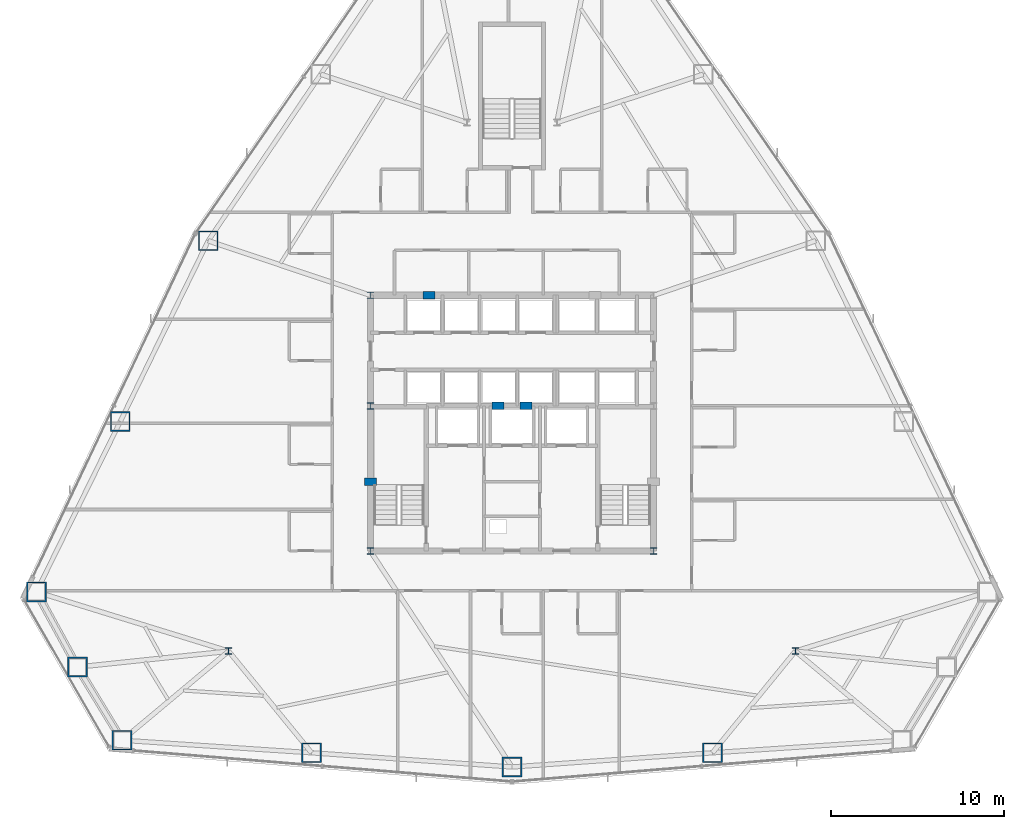
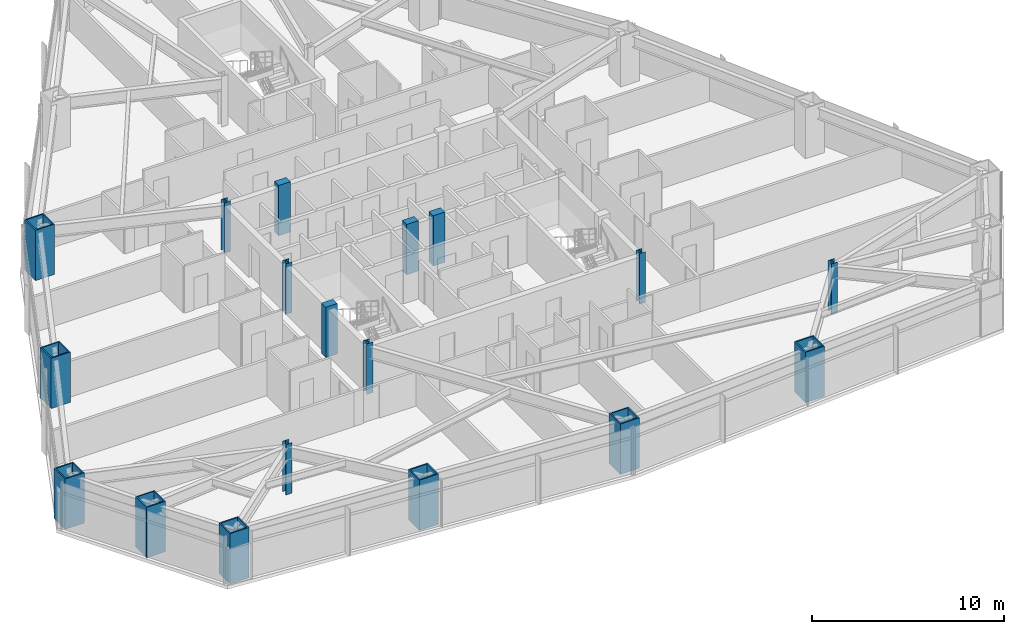
# One storey, part 1 of 13: 18 columns.
"""IFC4 building model written with IfcOpenShell, lengths in metres."""

from ifc_helpers import new_model, si_unit, direction, frame, origin, origin_2d, place, context, subcontext, project, spatial, rectangle, hollow_rectangle, i_section, extrude, material, material_profile, profile_set, type_object, element, save


model = new_model("IFC4")

# Units and contexts
model_context = context("Model", 3, precision=1e-05, world=origin(), true_north=direction((0.0, 1.0)))
body_context = subcontext(model_context, "Body", "Model", "MODEL_VIEW")
ifc_project = project(units=[si_unit("LENGTHUNIT", "METRE"), si_unit("AREAUNIT", "SQUARE_METRE"), si_unit("VOLUMEUNIT", "CUBIC_METRE"), si_unit("PLANEANGLEUNIT", "RADIAN"), si_unit("MASSUNIT", "GRAM", prefix="KILO")], contexts=[model_context])

# Site, building, storey
site_placement = place(None, origin())
site = spatial("IfcSite", under=ifc_project, at=site_placement, CompositionType="ELEMENT")
building_placement = place(site_placement, origin())
building = spatial("IfcBuilding", under=site, at=building_placement, Name="Varakhsha Concourse Tower", CompositionType="ELEMENT")
storey_placement = place(building_placement, frame((0.0, 0.0, 52.800048828125)))
storey = spatial("IfcBuildingStorey", under=building, at=storey_placement, Name="L14", CompositionType="ELEMENT", Elevation=52.800048828125)

# Columns
ifc_material_1 = material(Name="Structural Steel ASTM A992 Grade 50", Category="steel")
ifc_material_profile_1 = material_profile(ifc_material_1, i_section(OverallWidth=0.3740234375, OverallDepth=0.3720703125, WebThickness=0.01611328125, FlangeThickness=0.02587890625, at=origin_2d()), Name="W14X132")
ifc_profile_set_1 = profile_set([ifc_material_profile_1], Name="Structural Steel ASTM A992 Grade 50")
column_type_1 = type_object("IfcColumnType", Name="CL-CORE-W14X132", PredefinedType="COLUMN", material=ifc_profile_set_1)
for number, where, z_axis, x_axis, name in (
    (1, (31.800048828125, 16.39990234375, 0.0), (0.0, 0.0, 1.0), (1.0, 0.0, 0.0), "L14 Core Column CC-SW"),
    (2, (48.199951171875, 16.39990234375, 0.0), (0.0, 0.0, 1.0), (1.0, 0.0, 0.0), "L14 Core Column CC-SE"),
    (3, (31.800048828125, 24.800048828125, 0.0), (0.0, 0.0, 1.0), (1.0, 0.0, 0.0), "L14 Core Column CC-MW"),
    (4, (31.800048828125, 31.199951171875, 0.0), (0.0, 0.0, 1.0), (1.0, 0.0, 0.0), "L14 Core Column CC-NW"),
    (5, (23.60009765625, 10.60009765625, 0.0), (0.0, 0.0, 1.0), (1.0, 0.0, 0.0), "L14 Core Column SS-W"),
    (6, (56.39990234375, 10.60009765625, 0.0), (0.0, 0.0, 1.0), (1.0, 0.0, 0.0), "L14 Core Column SS-E"),
):
    element("IfcColumn", number, at=place(storey_placement, frame(where, z_axis=z_axis, x_axis=x_axis)), inside=storey, type_object=column_type_1, Name=name, PredefinedType="COLUMN", context=body_context, shape_type="SweptSolid", body=[
        extrude(i_section(OverallWidth=0.3740234375, OverallDepth=0.3720703125, WebThickness=0.01611328125, FlangeThickness=0.02587890625, at=origin_2d()), origin(), (0.0, 0.0, 1.0), 3.199951171875),
    ])
ifc_material_2 = material(Name="Concrete fc 65 MPa", Category="concrete")
ifc_material_profile_2 = material_profile(ifc_material_2, rectangle(XDim=0.699951171875, YDim=0.449951171875, at=origin_2d()), Name="RC 700x450")
ifc_profile_set_2 = profile_set([ifc_material_profile_2], Name="Concrete fc 65 MPa")
column_type_2 = type_object("IfcColumnType", Name="CL-PIL-700X450", PredefinedType="PILASTER", material=ifc_profile_set_2)
for number, where, z_axis, x_axis, name in (
    (7, (31.800048828125, 20.39990234375, 0.0), (0.0, 0.0, 1.0), (1.0, 0.0, 0.0), "L14 Core Boundary Pilaster PIL-W1"),
    (8, (35.199951171875, 31.199951171875, 0.0), (0.0, 0.0, 1.0), (1.0, 0.0, 0.0), "L14 Core Boundary Pilaster PIL-N1"),
    (9, (39.199951171875, 24.800048828125, 0.0), (0.0, 0.0, 1.0), (1.0, 0.0, 0.0), "L14 Core Boundary Pilaster PIL-M1"),
    (10, (40.800048828125, 24.800048828125, 0.0), (0.0, 0.0, 1.0), (1.0, 0.0, 0.0), "L14 Core Boundary Pilaster PIL-M2"),
):
    element("IfcColumn", number, at=place(storey_placement, frame(where, z_axis=z_axis, x_axis=x_axis)), inside=storey, type_object=column_type_2, Name=name, PredefinedType="PILASTER", context=body_context, shape_type="SweptSolid", body=[
        extrude(rectangle(XDim=0.699951171875, YDim=0.449951171875, at=origin_2d()), origin(), (0.0, 0.0, 1.0), 3.199951171875),
    ])
ifc_material_3 = material(Name="Structural Steel ASTM A572 Grade 50", Category="steel")
ifc_material_profile_3 = material_profile(ifc_material_3, hollow_rectangle(XDim=1.14990234375, YDim=1.14990234375, WallThickness=0.074951171875, at=origin_2d()), Name="BOX 1150x1150x75")
ifc_profile_set_3 = profile_set([ifc_material_profile_3], Name="Structural Steel ASTM A572 Grade 50")
column_type_3 = type_object("IfcColumnType", Name="CL-TUBE-1150", PredefinedType="COLUMN", material=ifc_profile_set_3)
for number, where, z_axis, x_axis, name in (
    (11, (22.4189453125, 34.350341796875, 0.0), (0.0, 0.0, 1.0), (1.0, 0.0, 0.0), "L14 Framed-Tube Column TC05"),
    (12, (17.330078125, 23.893310546875, 0.0), (0.0, 0.0, 1.0), (1.0, 0.0, 0.0), "L14 Framed-Tube Column TC06"),
    (13, (12.47607421875, 14.033447265625, 0.0), (0.0, 0.0, 1.0), (1.0, 0.0, 0.0), "L14 Framed-Tube Column TC07"),
    (14, (14.853271484375, 9.681396484375, 0.0), (0.0, 0.0, 1.0), (1.0, 0.0, 0.0), "L14 Framed-Tube Column TC08"),
    (15, (17.43359375, 5.44677734375, 0.0), (0.0, 0.0, 1.0), (1.0, 0.0, 0.0), "L14 Framed-Tube Column TC09"),
    (16, (28.3994140625, 4.720703125, 0.0), (0.0, 0.0, 1.0), (1.0, 0.0, 0.0), "L14 Framed-Tube Column TC10"),
    (17, (40.0, 3.899169921875, 0.0), (0.0, 0.0, 1.0), (1.0, 0.0, 0.0), "L14 Framed-Tube Column TC11"),
    (18, (51.6005859375, 4.720703125, 0.0), (0.0, 0.0, 1.0), (1.0, 0.0, 0.0), "L14 Framed-Tube Column TC12"),
):
    element("IfcColumn", number, at=place(storey_placement, frame(where, z_axis=z_axis, x_axis=x_axis)), inside=storey, type_object=column_type_3, Name=name, PredefinedType="COLUMN", context=body_context, shape_type="SweptSolid", body=[
        extrude(hollow_rectangle(XDim=1.14990234375, YDim=1.14990234375, WallThickness=0.074951171875, at=origin_2d()), origin(), (0.0, 0.0, 1.0), 3.199951171875),
    ])

save(model, "model.ifc")
